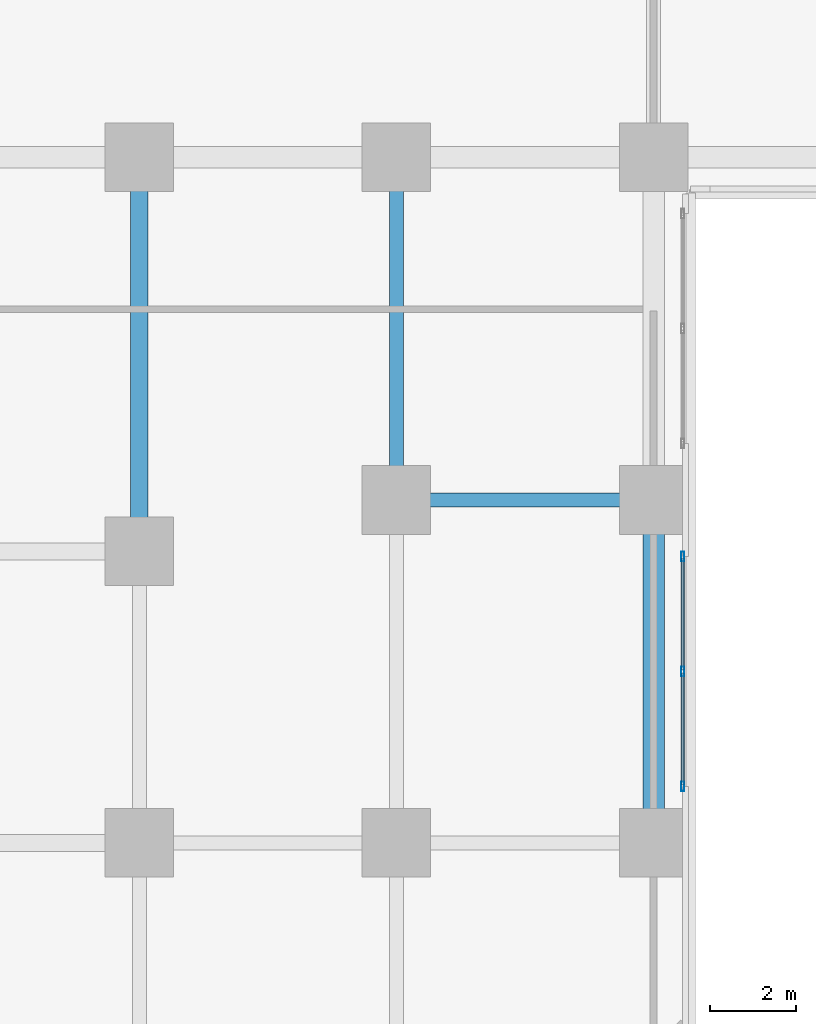
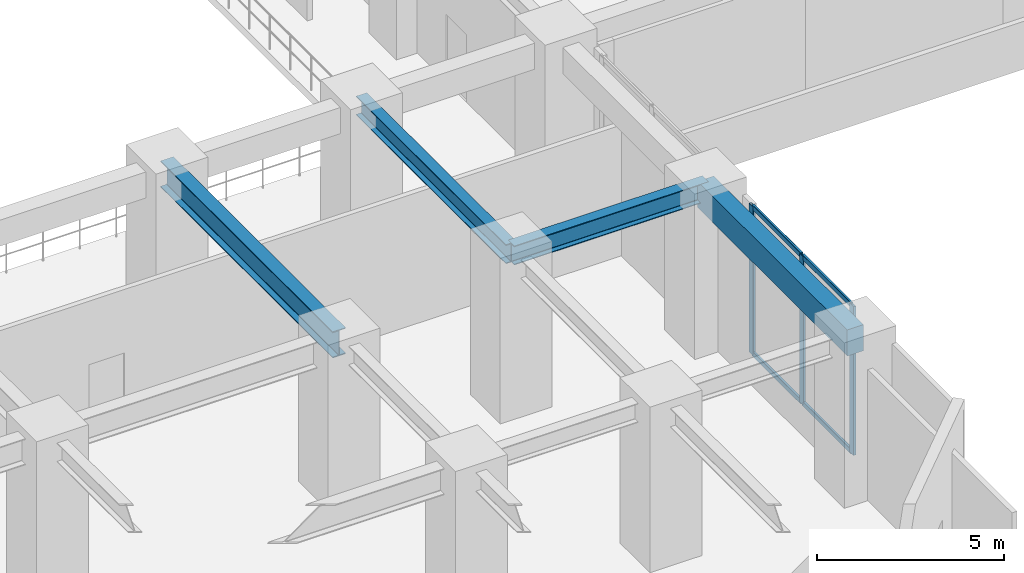
# One storey, part 11 of 33: 7 members, 4 beams, 1 element without a shape of its own.
"""IFC4 building model written with IfcOpenShell, lengths in metres."""

from ifc_helpers import new_model, si_unit, direction, frame, origin, origin_2d, place, context, subcontext, project, spatial, rectangle, hollow_rectangle, i_section, extrude, source, transform, mapped, material, material_profile, profile_set, type_object, element, aggregate, save


model = new_model("IFC4")

# Units and contexts
model_context = context("Model", 3, precision=1e-05, world=origin(), true_north=direction((0.0, 1.0)))
body_context = subcontext(model_context, "Body", "Model", "MODEL_VIEW")
ifc_project = project(units=[si_unit("LENGTHUNIT", "METRE"), si_unit("AREAUNIT", "SQUARE_METRE"), si_unit("VOLUMEUNIT", "CUBIC_METRE"), si_unit("PLANEANGLEUNIT", "RADIAN"), si_unit("MASSUNIT", "GRAM", prefix="KILO")], contexts=[model_context])

# Site, building, storey
site_placement = place(None, origin())
site = spatial("IfcSite", under=ifc_project, at=site_placement, CompositionType="ELEMENT")
building_placement = place(site_placement, origin())
building = spatial("IfcBuilding", under=site, at=building_placement, Name="Torre Montelarca", CompositionType="ELEMENT")
storey_placement = place(building_placement, frame((0.0, 0.0, 12.0)))
storey = spatial("IfcBuildingStorey", under=building, at=storey_placement, Name="L03", CompositionType="ELEMENT", Elevation=12.0)

# Beams
ifc_material_1 = material(Name="Steel ASTM A992 Grade 50", Category="steel")
ifc_material_profile_1 = material_profile(ifc_material_1, i_section(OverallWidth=0.326904296875, OverallDepth=0.6220703125, WebThickness=0.015380859375, FlangeThickness=0.0244140625, FilletRadius=0.014892578125, at=origin_2d()), Name="W610X195", Category="steel")
ifc_profile_set_1 = profile_set([ifc_material_profile_1], Name="Steel ASTM A992 Grade 50")
beam_type_1 = type_object("IfcBeamType", Name="BM-G-W610H", PredefinedType="BEAM", material=ifc_profile_set_1)
shared_shape_1 = source(origin(), body_context, "Body", "SweptSolid", [
    extrude(i_section(OverallWidth=0.326904296875, OverallDepth=0.6220703125, WebThickness=0.015380859375, FlangeThickness=0.0244140625, FilletRadius=0.014892578125, at=origin_2d()), origin(), (0.0, 0.0, 1.0), 6.0),
])
beam_1_placement = place(storey_placement, frame((42.0, 16.0, 4.8291015625), z_axis=(1.0, 0.0, 0.0), x_axis=(0.0, 1.0, 0.0)))
element("IfcBeam", 1, at=beam_1_placement, inside=storey, type_object=beam_type_1, Name="L03 Grid Girder X 42.0-48.0 at Y=16.0", PredefinedType="BEAM", context=body_context, shape_type="MappedRepresentation", body=[
    mapped(shared_shape_1, transform((0.0, 0.0, 0.0), scale=1.0)),
])
ifc_material_2 = material(Name="Concrete C55/67", Category="concrete")
ifc_material_profile_2 = material_profile(ifc_material_2, rectangle(XDim=0.5, YDim=0.85009765625, at=origin_2d()), Name="RCB500X850", Category="concrete")
ifc_profile_set_2 = profile_set([ifc_material_profile_2], Name="Concrete C55/67")
beam_type_2 = type_object("IfcBeamType", Name="BM-SP-RC850-EXT", PredefinedType="SPANDREL", material=ifc_profile_set_2)
shared_shape_2 = source(origin(), body_context, "Body", "SweptSolid", [
    extrude(rectangle(XDim=0.5, YDim=0.85009765625, at=origin_2d()), origin(), (0.0, 0.0, 1.0), 8.0),
])
beam_2_placement = place(storey_placement, frame((48.0, 8.0, 4.715087890625), z_axis=(0.0, 1.0, 0.0), x_axis=(-1.0, 0.0, 0.0)))
element("IfcBeam", 2, at=beam_2_placement, inside=storey, type_object=beam_type_2, Name="L03 Grid Girder Y 8.0-16.0 at X=48.0", PredefinedType="SPANDREL", context=body_context, shape_type="MappedRepresentation", body=[
    mapped(shared_shape_2, transform((0.0, 0.0, 0.0), scale=1.0)),
])
ifc_material_profile_3 = material_profile(ifc_material_1, i_section(OverallWidth=0.39990234375, OverallDepth=0.85498046875, WebThickness=0.018310546875, FlangeThickness=0.029296875, FilletRadius=0.02001953125, at=origin_2d()), Name="W840X299", Category="steel")
ifc_profile_set_3 = profile_set([ifc_material_profile_3], Name="Steel ASTM A992 Grade 50")
beam_type_3 = type_object("IfcBeamType", Name="BM-G-W840", PredefinedType="BEAM", material=ifc_profile_set_3)
shared_shape_3 = source(origin(), body_context, "Body", "SweptSolid", [
    extrude(i_section(OverallWidth=0.39990234375, OverallDepth=0.85498046875, WebThickness=0.018310546875, FlangeThickness=0.029296875, FilletRadius=0.02001953125, at=origin_2d()), origin(), (0.0, 0.0, 1.0), 9.199951171875),
])
beam_3_placement = place(storey_placement, frame((36.0, 14.800048828125, 4.7119140625), z_axis=(0.0, 1.0, 0.0), x_axis=(-1.0, 0.0, 0.0)))
element("IfcBeam", 3, at=beam_3_placement, inside=storey, type_object=beam_type_3, Name="L03 Grid Girder Y 14.8-24.0 at X=36.0", PredefinedType="BEAM", context=body_context, shape_type="MappedRepresentation", body=[
    mapped(shared_shape_3, transform((0.0, 0.0, 0.0), scale=1.0)),
])
shared_shape_4 = source(origin(), body_context, "Body", "SweptSolid", [
    extrude(i_section(OverallWidth=0.326904296875, OverallDepth=0.6220703125, WebThickness=0.015380859375, FlangeThickness=0.0244140625, FilletRadius=0.014892578125, at=origin_2d()), origin(), (0.0, 0.0, 1.0), 8.0),
])
beam_4_placement = place(storey_placement, frame((42.0, 16.0, 4.8291015625), z_axis=(0.0, 1.0, 0.0), x_axis=(-1.0, 0.0, 0.0)))
element("IfcBeam", 4, at=beam_4_placement, inside=storey, type_object=beam_type_1, Name="L03 Grid Girder Y 16.0-24.0 at X=42.0", PredefinedType="BEAM", context=body_context, shape_type="MappedRepresentation", body=[
    mapped(shared_shape_4, transform((0.0, 0.0, 0.0), scale=1.0)),
])

# Curtain wall, members
ifc_material_3 = material(Name="Insulated low-E laminated glass", Category="glass")
curtain_wall_type = type_object("IfcCurtainWallType", Name="CW-SYS-POD2", PredefinedType="USERDEFINED", material=ifc_material_3)
curtain_wall_placement = place(storey_placement, origin())
curtain_wall = element("IfcCurtainWall", 5, at=curtain_wall_placement, inside=storey, type_object=curtain_wall_type, Name="L03 Curtain Wall Run CW-T3-L03-E03-B1", ObjectType="UNITISED GLAZING", PredefinedType="USERDEFINED")
ifc_material_4 = material(Name="Anodised aluminium AA 6063-T6", Category="aluminium")
ifc_material_profile_4 = material_profile(ifc_material_4, hollow_rectangle(XDim=0.074951171875, YDim=0.159912109375, WallThickness=0.0048828125, InnerFilletRadius=0.0048828125, OuterFilletRadius=0.010009765625, at=origin_2d()), Name="ALU75X160X5", Category="aluminium")
ifc_profile_set_4 = profile_set([ifc_material_profile_4], Name="Anodised aluminium AA 6063-T6")
member_type_1 = type_object("IfcMemberType", Name="CWT-ALU160", PredefinedType="USERDEFINED", material=ifc_profile_set_4)
shared_shape_5 = source(origin(), body_context, "Body", "SweptSolid", [
    extrude(hollow_rectangle(XDim=0.074951171875, YDim=0.159912109375, WallThickness=0.0048828125, InnerFilletRadius=0.0048828125, OuterFilletRadius=0.010009765625, at=origin_2d()), origin(), (0.0, 0.0, 1.0), 2.607421875),
])
member_1_placement = place(storey_placement, frame((48.679931640625, 9.35498046875, 0.03759765625), z_axis=(0.0, 1.0, 0.0), x_axis=(-1.0, 0.0, 0.0)))
member_1 = element("IfcMember", 6, at=member_1_placement, type_object=member_type_1, Name="CW transom 1.1", ObjectType="TRANSOM", PredefinedType="USERDEFINED", context=body_context, shape_type="MappedRepresentation", body=[
    mapped(shared_shape_5, transform((0.0, 0.0, 0.0), scale=1.0)),
])
member_2_placement = place(storey_placement, frame((48.679931640625, 9.35498046875, 4.8125), z_axis=(0.0, 1.0, 0.0), x_axis=(-1.0, 0.0, 0.0)))
member_2 = element("IfcMember", 7, at=member_2_placement, type_object=member_type_1, Name="CW transom 1.2", ObjectType="TRANSOM", PredefinedType="USERDEFINED", context=body_context, shape_type="MappedRepresentation", body=[
    mapped(shared_shape_5, transform((0.0, 0.0, 0.0), scale=1.0)),
])
member_3_placement = place(storey_placement, frame((48.679931640625, 12.03759765625, 0.03759765625), z_axis=(0.0, 1.0, 0.0), x_axis=(-1.0, 0.0, 0.0)))
member_3 = element("IfcMember", 8, at=member_3_placement, type_object=member_type_1, Name="CW transom 2.1", ObjectType="TRANSOM", PredefinedType="USERDEFINED", context=body_context, shape_type="MappedRepresentation", body=[
    mapped(shared_shape_5, transform((0.0, 0.0, 0.0), scale=1.0)),
])
member_4_placement = place(storey_placement, frame((48.679931640625, 12.03759765625, 4.8125), z_axis=(0.0, 1.0, 0.0), x_axis=(-1.0, 0.0, 0.0)))
member_4 = element("IfcMember", 9, at=member_4_placement, type_object=member_type_1, Name="CW transom 2.2", ObjectType="TRANSOM", PredefinedType="USERDEFINED", context=body_context, shape_type="MappedRepresentation", body=[
    mapped(shared_shape_5, transform((0.0, 0.0, 0.0), scale=1.0)),
])
ifc_material_profile_5 = material_profile(ifc_material_4, hollow_rectangle(XDim=0.074951171875, YDim=0.219970703125, WallThickness=0.0048828125, InnerFilletRadius=0.0048828125, OuterFilletRadius=0.010009765625, at=origin_2d()), Name="ALU75X220X5", Category="aluminium")
ifc_profile_set_5 = profile_set([ifc_material_profile_5], Name="Anodised aluminium AA 6063-T6")
member_type_2 = type_object("IfcMemberType", Name="CWM-ALU220", PredefinedType="MULLION", material=ifc_profile_set_5)
shared_shape_6 = source(origin(), body_context, "Body", "SweptSolid", [
    extrude(hollow_rectangle(XDim=0.074951171875, YDim=0.219970703125, WallThickness=0.0048828125, InnerFilletRadius=0.0048828125, OuterFilletRadius=0.010009765625, at=origin_2d()), origin(), (0.0, 0.0, 1.0), 4.85009765625),
])
member_5_placement = place(storey_placement, frame((48.679931640625, 9.3173828125, 0.0), z_axis=(0.0, 0.0, 1.0), x_axis=(-1.0, 0.0, 0.0)))
member_5 = element("IfcMember", 10, at=member_5_placement, type_object=member_type_2, Name="CW mullion 1", PredefinedType="MULLION", context=body_context, shape_type="MappedRepresentation", body=[
    mapped(shared_shape_6, transform((0.0, 0.0, 0.0), scale=1.0)),
])
member_6_placement = place(storey_placement, frame((48.679931640625, 12.0, 0.0), z_axis=(0.0, 0.0, 1.0), x_axis=(-1.0, 0.0, 0.0)))
member_6 = element("IfcMember", 11, at=member_6_placement, type_object=member_type_2, Name="CW mullion 2", PredefinedType="MULLION", context=body_context, shape_type="MappedRepresentation", body=[
    mapped(shared_shape_6, transform((0.0, 0.0, 0.0), scale=1.0)),
])
member_7_placement = place(storey_placement, frame((48.679931640625, 14.6826171875, 0.0), z_axis=(0.0, 0.0, 1.0), x_axis=(-1.0, 0.0, 0.0)))
member_7 = element("IfcMember", 12, at=member_7_placement, type_object=member_type_2, Name="CW mullion 3", PredefinedType="MULLION", context=body_context, shape_type="MappedRepresentation", body=[
    mapped(shared_shape_6, transform((0.0, 0.0, 0.0), scale=1.0)),
])
aggregate(curtain_wall, [member_5, member_6, member_7, member_1, member_2, member_3, member_4])

save(model, "model.ifc")
